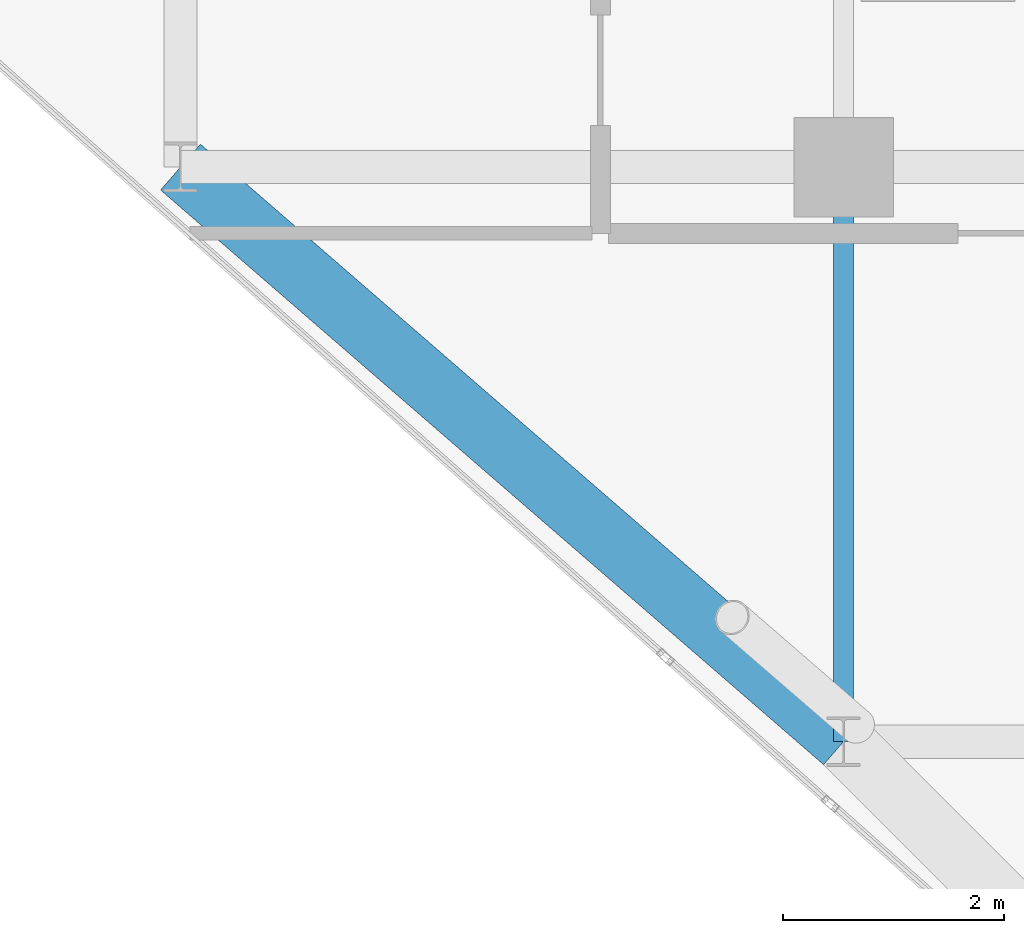
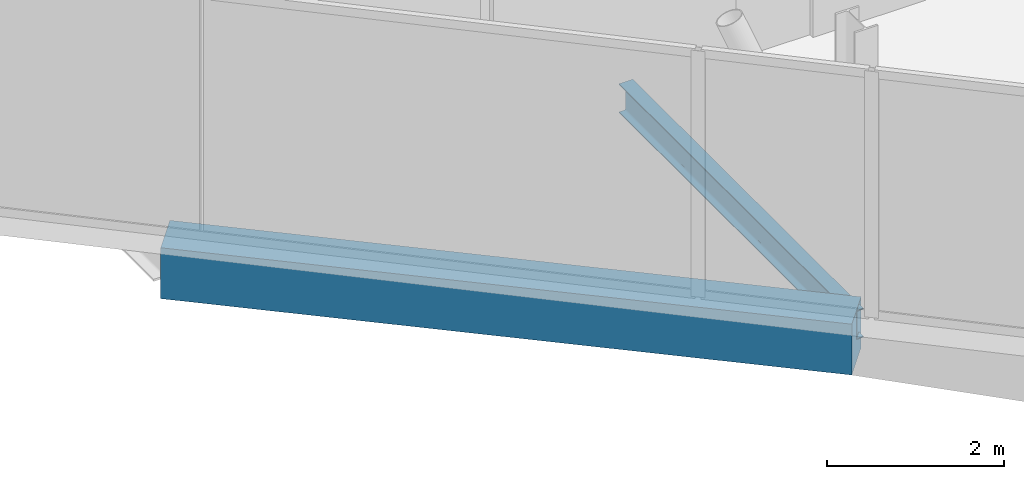
# One storey, part 5 of 29: 2 beams.
"""IFC4 building model written with IfcOpenShell, lengths in metres."""

import ifcopenshell
import ifcopenshell.guid

model = None  # the IFC model being written
_history = None  # IfcOwnerHistory: only IFC2X3 demands one
_inside = {}  # id of a spatial element -> (the spatial element, [elements in it])
_under = {}  # id of a project, library or spatial element -> (it, [spatial elements below it])
_declared = {}  # id of a project -> (the project, [libraries it declares])
_typed = {}  # id of a type object -> (the type object, [elements of that type])
_made_of = {}  # id of a material, layer set ... -> (it, [elements and type objects made of it])


def new_model(schema):
    """Start an empty IFC model of exactly this schema.

    Asked for "IFC4X3", IfcOpenShell would pick the latest addendum, in which some entities
    have other attributes; the version numbers below select the first issue.
    IFC2X3 requires an IfcOwnerHistory on every rooted entity: one is made here for all.
    """
    global model, _history
    if schema == "IFC4X3":
        model = ifcopenshell.file(schema_version=(4, 3, 0, 0))
    else:
        model = ifcopenshell.file(schema=schema)
    _inside.clear()
    _under.clear()
    _declared.clear()
    _typed.clear()
    _made_of.clear()
    _history = None
    if model.schema == "IFC2X3":
        org = make("IfcOrganization", Name="unknown")
        user = make(
            "IfcPersonAndOrganization",
            ThePerson=make("IfcPerson", FamilyName="unknown"),
            TheOrganization=org,
        )
        app = make(
            "IfcApplication",
            ApplicationDeveloper=org,
            Version="unknown",
            ApplicationFullName="unknown",
            ApplicationIdentifier="unknown",
        )
        _history = make(
            "IfcOwnerHistory",
            OwningUser=user,
            OwningApplication=app,
            ChangeAction="ADDED",
            CreationDate=0,
        )
    return model


def make(cls, **values):
    """One entity of the class cls with the attributes given. An attribute that is None is left unset."""
    return model.create_entity(
        cls, **{name: value for name, value in values.items() if value is not None}
    )


def rooted(cls, **values):
    """An entity with a GlobalId (a new one), such as an element, a storey or a relation."""
    return make(cls, GlobalId=ifcopenshell.guid.new(), OwnerHistory=_history, **values)


def si_unit(unit_type, name, prefix=None):
    """IfcSIUnit, for example si_unit("LENGTHUNIT", "METRE", prefix="MILLI")."""
    return make("IfcSIUnit", UnitType=unit_type, Prefix=prefix, Name=name)


def assignment(units):
    """IfcUnitAssignment: the units of a project."""
    return None if units is None else make("IfcUnitAssignment", Units=units)


def point(xyz):
    """IfcCartesianPoint."""
    return None if xyz is None else make("IfcCartesianPoint", Coordinates=xyz)


def direction(xyz):
    """IfcDirection."""
    return None if xyz is None else make("IfcDirection", DirectionRatios=xyz)


def frame(location, z_axis=None, x_axis=None):
    """IfcAxis2Placement3D, a coordinate frame: its origin and axes. An axis left out is left unset."""
    return make(
        "IfcAxis2Placement3D",
        Location=point(location),
        Axis=direction(z_axis),
        RefDirection=direction(x_axis),
    )


def frame_2d(location, x_axis=None):
    """IfcAxis2Placement2D, a coordinate frame in the plane: its origin and x axis."""
    return make(
        "IfcAxis2Placement2D", Location=point(location), RefDirection=direction(x_axis)
    )


def origin():
    """The frame at (0, 0, 0) with its axes left unset."""
    return frame((0.0, 0.0, 0.0))


def origin_2d():
    """The frame at (0, 0) in the plane with its x axis left unset."""
    return frame_2d((0.0, 0.0))


def place(relative_to, where):
    """IfcLocalPlacement: puts the frame where relative to a parent placement (None: the world)."""
    return make(
        "IfcLocalPlacement", PlacementRelTo=relative_to, RelativePlacement=where
    )


def context(
    kind, dimensions, precision=None, world=None, true_north=None, identifier=None
):
    """IfcGeometricRepresentationContext, for example the 3D "Model" context."""
    return make(
        "IfcGeometricRepresentationContext",
        ContextIdentifier=identifier,
        ContextType=kind,
        CoordinateSpaceDimension=dimensions,
        Precision=precision,
        WorldCoordinateSystem=world,
        TrueNorth=true_north,
    )


def subcontext(parent, identifier, kind, view, scale=None):
    """IfcGeometricRepresentationSubContext, for example "Body" below "Model"."""
    return make(
        "IfcGeometricRepresentationSubContext",
        ContextIdentifier=identifier,
        ContextType=kind,
        ParentContext=parent,
        TargetScale=scale,
        TargetView=view,
    )


def project(units=None, contexts=None):
    """IfcProject with its units and contexts."""
    return rooted(
        "IfcProject",
        Name="project",
        RepresentationContexts=contexts,
        UnitsInContext=assignment(units),
    )


def spatial(cls, under=None, at=None, **own):
    """A site, building, storey or space (cls), placed at a placement, below another one or the project."""
    s = rooted(cls, ObjectPlacement=at, **own)
    if under is not None:
        _under.setdefault(under.id(), (under, []))[1].append(s)
    return s


def profile(cls, at=None, kind="AREA", **sizes):
    """A parametric profile (cls). Its sizes go by their IFC names, for example OverallWidth=200.0."""
    return make(cls, ProfileType=kind, Position=at, **sizes)


def rectangle(**sizes):
    """IfcRectangleProfileDef."""
    return profile("IfcRectangleProfileDef", **sizes)


def i_section(**sizes):
    """IfcIShapeProfileDef."""
    return profile("IfcIShapeProfileDef", **sizes)


def extrude(swept, where, along, depth):
    """IfcExtrudedAreaSolid: the profile swept, set in the frame where, extruded along a direction by depth."""
    return make(
        "IfcExtrudedAreaSolid",
        SweptArea=swept,
        Position=where,
        ExtrudedDirection=direction(along),
        Depth=depth,
    )


def shape(context_of_items, identifier, shape_type, items):
    """IfcShapeRepresentation: the items that make up one representation, for example the "Body"."""
    return make(
        "IfcShapeRepresentation",
        ContextOfItems=context_of_items,
        RepresentationIdentifier=identifier,
        RepresentationType=shape_type,
        Items=items,
    )


def material(Name=None, Category=None):
    """IfcMaterial."""
    return make("IfcMaterial", Name=Name, Category=Category)


def material_profile(
    of_material, cross_section, Name=None, Category=None, Priority=None
):
    """IfcMaterialProfile: a cross section and its material."""
    return make(
        "IfcMaterialProfile",
        Name=Name,
        Material=of_material,
        Profile=cross_section,
        Priority=Priority,
        Category=Category,
    )


def profile_set(profiles, Name=None, composite=None):
    """IfcMaterialProfileSet."""
    return make(
        "IfcMaterialProfileSet",
        Name=Name,
        MaterialProfiles=profiles,
        CompositeProfile=composite,
    )


def made_of(thing, what):
    """Note that an element or type object is made of a material, layer set ...; save() writes the relation."""
    if what is not None:
        _made_of.setdefault(what.id(), (what, []))[1].append(thing)
    return thing


def type_object(cls, material=None, **own):
    """A type object (cls), such as IfcWallType, which elements share."""
    return made_of(rooted(cls, **own), material)


def element(
    cls,
    number,
    at=None,
    inside=None,
    cuts=None,
    type_object=None,
    material=None,
    context=None,
    identifier="Body",
    shape_type=None,
    held_by="IfcProductDefinitionShape",
    body=None,
    shapes=None,
    **own,
):
    """One element of the class cls, such as IfcWall. Its Tag is "e" and its number.

    at: its placement. inside: the storey or other place that contains it. cuts: it is an
    opening in that element (IfcRelVoidsElement). A single representation is given by context,
    identifier, shape_type and body (its items); several are given by shapes. held_by: the class
    of the entity that holds the representations. save() writes the other relations.
    """
    e = rooted(cls, Tag="e%d" % number, ObjectPlacement=at, **own)
    if body is not None:
        shapes = [shape(context, identifier, shape_type, body)]
    if shapes is not None:
        e.Representation = make(held_by, Representations=shapes)
    if inside is not None:
        _inside.setdefault(inside.id(), (inside, []))[1].append(e)
    if cuts is not None:
        rooted(
            "IfcRelVoidsElement", RelatingBuildingElement=cuts, RelatedOpeningElement=e
        )
    if type_object is not None:
        _typed.setdefault(type_object.id(), (type_object, []))[1].append(e)
    return made_of(e, material)


def aggregate(whole, parts):
    """IfcRelAggregates: a whole, such as a stair, and the parts it consists of."""
    return rooted("IfcRelAggregates", RelatingObject=whole, RelatedObjects=parts)


def save(model, path):
    """Write the relations noted so far, then the file.

    IfcRelAggregates (storeys below a building ...), IfcRelContainedInSpatialStructure (elements
    in a storey), IfcRelDefinesByType, IfcRelAssociatesMaterial and IfcRelDeclares: one each for
    every whole, place, type object, material and project.
    """
    for whole, parts in _under.values():
        aggregate(whole, parts)
    for where, things in _inside.values():
        rooted(
            "IfcRelContainedInSpatialStructure",
            RelatedElements=things,
            RelatingStructure=where,
        )
    for kind, things in _typed.values():
        rooted("IfcRelDefinesByType", RelatedObjects=things, RelatingType=kind)
    for what, things in _made_of.values():
        rooted("IfcRelAssociatesMaterial", RelatedObjects=things, RelatingMaterial=what)
    for by, libraries in _declared.values():
        rooted("IfcRelDeclares", RelatingContext=by, RelatedDefinitions=libraries)
    model.write(path)


model = new_model("IFC4")

# Units and contexts
model_context = context("Model", 3, precision=1e-05, world=origin(), true_north=direction((0.0, 1.0)))
body_context = subcontext(model_context, "Body", "Model", "MODEL_VIEW")
ifc_project = project(units=[si_unit("LENGTHUNIT", "METRE"), si_unit("AREAUNIT", "SQUARE_METRE"), si_unit("VOLUMEUNIT", "CUBIC_METRE"), si_unit("PLANEANGLEUNIT", "RADIAN"), si_unit("MASSUNIT", "GRAM", prefix="KILO")], contexts=[model_context])

# Site, building, storey
site_placement = place(None, origin())
site = spatial("IfcSite", under=ifc_project, at=site_placement, CompositionType="ELEMENT")
building_placement = place(site_placement, origin())
building = spatial("IfcBuilding", under=site, at=building_placement, Name="Keshet Zoharim Tower", CompositionType="ELEMENT")
storey_placement = place(building_placement, frame((0.0, 0.0, 176.5)))
storey = spatial("IfcBuildingStorey", under=building, at=storey_placement, Name="L43", CompositionType="ELEMENT", Elevation=176.5)

# Beams
ifc_material_1 = material(Name="Steel S355", Category="steel")
ifc_material_profile_1 = material_profile(ifc_material_1, i_section(OverallWidth=0.179931640625, OverallDepth=0.39990234375, WebThickness=0.008544921875, FlangeThickness=0.013427734375, FilletRadius=0.02099609375, at=origin_2d()), Name="IPE400")
ifc_profile_set_1 = profile_set([ifc_material_profile_1], Name="Steel S355")
beam_type_1 = type_object("IfcBeamType", Name="BM-PRI-IP400", PredefinedType="BEAM", material=ifc_profile_set_1)
beam_1_placement = place(storey_placement, frame((15.0, 12.699951171875, -0.510009765625), z_axis=(0.0, 1.0, 0.0), x_axis=(-1.0, 0.0, 0.0)))
element("IfcBeam", 1, at=beam_1_placement, inside=storey, type_object=beam_type_1, Name="L43 Primary Girder Y-002", PredefinedType="BEAM", context=body_context, shape_type="SweptSolid", body=[
    extrude(i_section(OverallWidth=0.179931640625, OverallDepth=0.39990234375, WebThickness=0.008544921875, FlangeThickness=0.013427734375, FilletRadius=0.02099609375, at=origin_2d()), origin(), (0.0, 0.0, 1.0), 5.199951171875),
])
ifc_material_2 = material(Name="Concrete C50/60", Category="concrete")
ifc_material_profile_2 = material_profile(ifc_material_2, rectangle(XDim=0.550048828125, YDim=0.699951171875, at=origin_2d()), Name="RC700x550")
ifc_profile_set_2 = profile_set([ifc_material_profile_2], Name="Concrete C50/60")
beam_type_2 = type_object("IfcBeamType", Name="BM-SPN-700", PredefinedType="SPANDREL", material=ifc_profile_set_2)
beam_2_placement = place(storey_placement, frame((9.0, 17.89990234375, -0.659912109375), z_axis=(0.755692126483, -0.654927026447, 0.0), x_axis=(0.654927026447, 0.755692126483, 0.0)))
element("IfcBeam", 2, at=beam_2_placement, inside=storey, type_object=beam_type_2, Name="L43 Perimeter Spandrel Beam 02", PredefinedType="SPANDREL", context=body_context, shape_type="SweptSolid", body=[
    extrude(rectangle(XDim=0.550048828125, YDim=0.699951171875, at=origin_2d()), origin(), (0.0, 0.0, 1.0), 7.939697265625),
])

save(model, "model.ifc")
